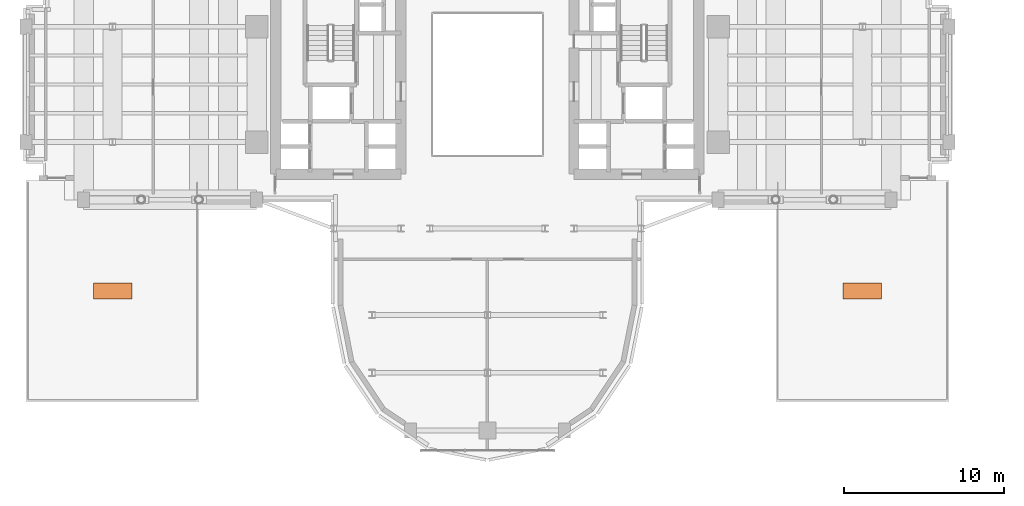
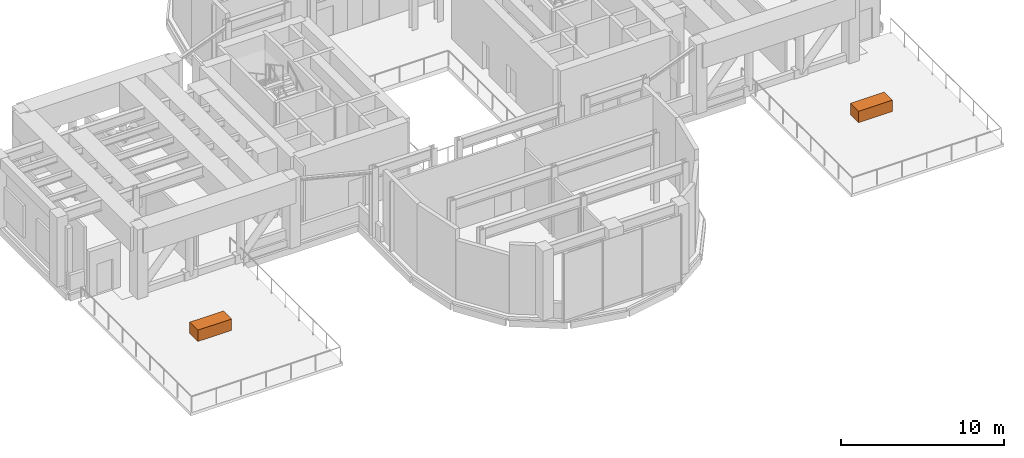
# One storey, part 16 of 16: 2 proxies.
"""IFC4 building model written with IfcOpenShell, lengths in metres."""

from ifc_helpers import new_model, si_unit, direction, frame, origin, origin_2d, place, context, subcontext, project, spatial, rectangle, extrude, source, transform, mapped, material, type_object, element, save


model = new_model("IFC4")

# Units and contexts
model_context = context("Model", 3, precision=1e-05, world=origin(), true_north=direction((0.0, 1.0)))
body_context = subcontext(model_context, "Body", "Model", "MODEL_VIEW")
ifc_project = project(units=[si_unit("LENGTHUNIT", "METRE"), si_unit("AREAUNIT", "SQUARE_METRE"), si_unit("VOLUMEUNIT", "CUBIC_METRE"), si_unit("PLANEANGLEUNIT", "RADIAN"), si_unit("MASSUNIT", "GRAM", prefix="KILO")], contexts=[model_context])

# Site, building, storey
site_placement = place(None, origin())
site = spatial("IfcSite", under=ifc_project, at=site_placement, CompositionType="ELEMENT")
building_placement = place(site_placement, origin())
building = spatial("IfcBuilding", under=site, at=building_placement, Name="Keilestroom Media Tower", CompositionType="ELEMENT")
storey_placement = place(building_placement, frame((0.0, 0.0, 25.199951171875)))
storey = spatial("IfcBuildingStorey", under=building, at=storey_placement, Name="L05", CompositionType="ELEMENT", Elevation=25.199951171875)

# Proxies
ifc_material = material(Name="Precast concrete C40/50", Category="concrete")
building_element_proxy_type = type_object("IfcBuildingElementProxyType", Name="Sky-Garden-Planter-Box-PRX-1", PredefinedType="USERDEFINED", material=ifc_material)
shared_shape = source(origin(), body_context, "Body", "SweptSolid", [
    extrude(rectangle(XDim=2.39990234375, YDim=1.0, at=origin_2d()), origin(), (0.0, 0.0, 1.0), 0.85009765625),
])
for number, where, z_axis, x_axis, name in (
    (1, (-23.39990234375, -12.89990234375, 0.0), (0.0, 0.0, 1.0), (1.0, 0.0, 0.0), "L05 Sky-Garden Planter Box POD-SW"),
    (2, (23.39990234375, -12.89990234375, 0.0), (0.0, 0.0, 1.0), (1.0, 0.0, 0.0), "L05 Sky-Garden Planter Box POD-SE"),
):
    element("IfcBuildingElementProxy", number, at=place(storey_placement, frame(where, z_axis=z_axis, x_axis=x_axis)), inside=storey, type_object=building_element_proxy_type, Name=name, ObjectType="PLANTER", PredefinedType="USERDEFINED", context=body_context, shape_type="MappedRepresentation", body=[
        mapped(shared_shape, transform((0.0, 0.0, 0.0), x_axis=(1.0, 0.0, 0.0), y_axis=(0.0, 1.0, 0.0), z_axis=(0.0, 0.0, 1.0), scale=1.0)),
    ])

save(model, "model.ifc")
